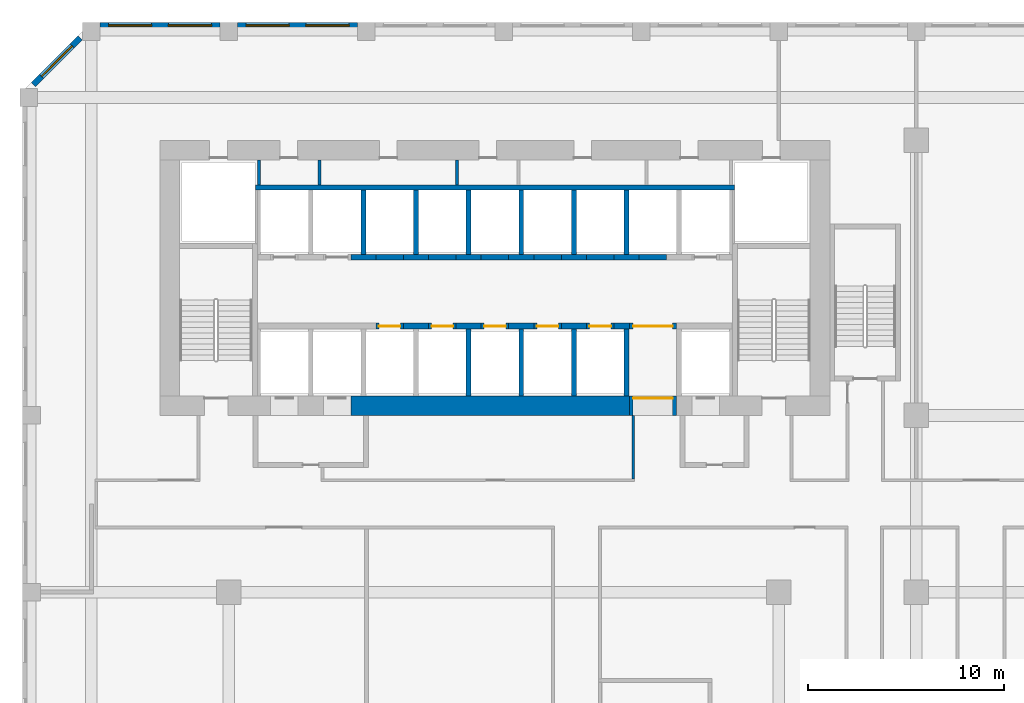
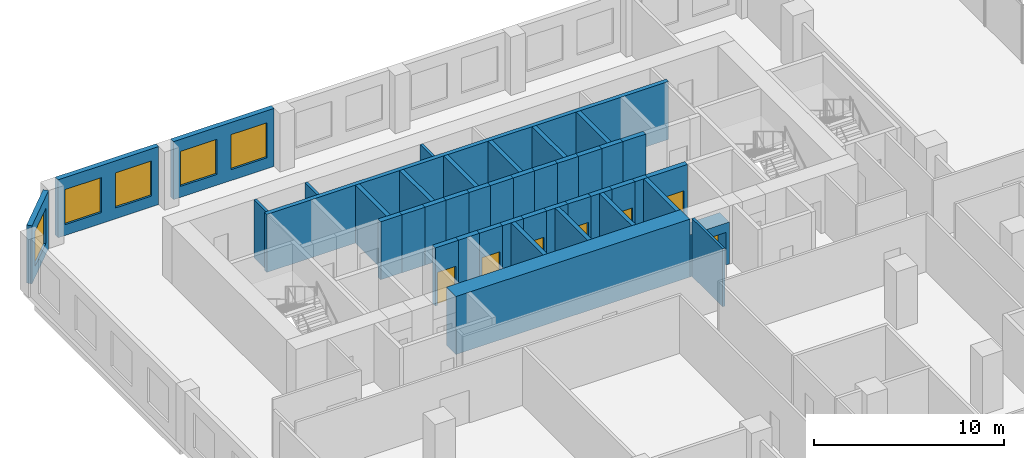
# One storey, part 16 of 28: 43 walls, 7 doors, 5 windows, 12 openings.
"""IFC4 building model written with IfcOpenShell, lengths in metres."""

from ifc_helpers import new_model, si_unit, direction, frame, frame_2d, origin, place, context, subcontext, project, spatial, rectangle, extrude, source, transform, mapped, material, layer, layer_set, type_object, element, fill, save


model = new_model("IFC4")

# Units and contexts
model_context = context("Model", 3, precision=1e-05, world=origin(), true_north=direction((0.0, 1.0)))
body_context = subcontext(model_context, "Body", "Model", "MODEL_VIEW")
ifc_project = project(units=[si_unit("LENGTHUNIT", "METRE"), si_unit("AREAUNIT", "SQUARE_METRE"), si_unit("VOLUMEUNIT", "CUBIC_METRE"), si_unit("PLANEANGLEUNIT", "RADIAN"), si_unit("MASSUNIT", "GRAM", prefix="KILO")], contexts=[model_context])

# Site, building, storey
site_placement = place(None, origin())
site = spatial("IfcSite", under=ifc_project, at=site_placement, CompositionType="ELEMENT")
building_placement = place(site_placement, origin())
building = spatial("IfcBuilding", under=site, at=building_placement, Name="Kilnfold Tower and Market Hall", CompositionType="ELEMENT")
storey_placement = place(building_placement, frame((0.0, 0.0, 75.199951171875)))
storey = spatial("IfcBuildingStorey", under=building, at=storey_placement, Name="L17", CompositionType="ELEMENT", Elevation=75.199951171875)

# Walls
ifc_material_1 = material(Name="Gypsum board on steel studs", Category="steel")
ifc_layer_1 = layer(ifc_material_1, 0.14990234375)
ifc_layer_set_1 = layer_set([ifc_layer_1], Name="Gypsum board on steel studs")
wall_type_1 = type_object("IfcWallType", Name="WALL CORRIDOR 150", PredefinedType="PARTITIONING", material=ifc_layer_set_1)
wall_1_placement = place(storey_placement, frame((8.090087890625, 8.0, 0.0), z_axis=(0.0, 0.0, 1.0), x_axis=(0.0, -1.0, 0.0)))
element("IfcWall", 1, at=wall_1_placement, inside=storey, type_object=wall_type_1, Name="Partition LY13.11", PredefinedType="PARTITIONING", context=body_context, shape_type="SweptSolid", body=[
    extrude(rectangle(XDim=3.22509765625, YDim=0.14990234375, at=frame_2d((1.612548828125, 0.0))), origin(), (0.0, 0.0, 1.0), 3.719970703125),
])
ifc_material_2 = material(Name="Concrete C80", Category="concrete")
ifc_layer_2 = layer(ifc_material_2, 1.0)
ifc_layer_set_2 = layer_set([ifc_layer_2], Name="Concrete C80")
wall_type_2 = type_object("IfcWallType", Name="CORE WALL 1000 C80", PredefinedType="SHEAR", material=ifc_layer_set_2)
shared_shape_1 = source(origin(), body_context, "Body", "SweptSolid", [
    extrude(rectangle(XDim=14.179931640625, YDim=1.0, at=frame_2d((7.08984375, 0.0))), origin(), (0.0, 0.0, 1.0), 3.719970703125),
])
wall_2_placement = place(storey_placement, frame((-6.2900390625, 8.5, 0.0), z_axis=(0.0, 0.0, 1.0), x_axis=(1.0, 0.0, 0.0)))
element("IfcWall", 2, at=wall_2_placement, inside=storey, type_object=wall_type_2, Name="Core outer wall south", PredefinedType="SHEAR", context=body_context, shape_type="MappedRepresentation", body=[
    mapped(shared_shape_1, transform((0.0, 0.0, 0.0))),
])
ifc_material_3 = material(Name="Concrete C80", Category="concrete")
ifc_layer_3 = layer(ifc_material_3, 0.300048828125)
ifc_layer_set_3 = layer_set([ifc_layer_3], Name="Concrete C80")
wall_type_3 = type_object("IfcWallType", Name="CORE WALL 300 C80", PredefinedType="SHEAR", material=ifc_layer_set_3)
shared_shape_2 = source(origin(), body_context, "Body", "SweptSolid", [
    extrude(rectangle(XDim=1.280029296875, YDim=0.300048828125, at=frame_2d((0.64013671875, 0.0))), origin(), (0.0, 0.0, 1.0), 3.719970703125),
])
for number, where, z_axis, x_axis, name in (
    (3, (-3.610107421875, 12.550048828125, 0.0), (0.0, 0.0, 1.0), (1.0, 0.0, 0.0), "Core spine wall"),
    (4, (-0.929931640625, 12.550048828125, 0.0), (0.0, 0.0, 1.0), (1.0, 0.0, 0.0), "Core spine wall"),
    (5, (1.75, 12.550048828125, 0.0), (0.0, 0.0, 1.0), (1.0, 0.0, 0.0), "Core spine wall"),
    (6, (4.429931640625, 12.550048828125, 0.0), (0.0, 0.0, 1.0), (1.0, 0.0, 0.0), "Core spine wall"),
    (7, (-6.2900390625, 16.050048828125, 0.0), (0.0, 0.0, 1.0), (1.0, 0.0, 0.0), "Core spine wall"),
    (8, (-3.610107421875, 16.050048828125, 0.0), (0.0, 0.0, 1.0), (1.0, 0.0, 0.0), "Core spine wall"),
    (9, (-0.929931640625, 16.050048828125, 0.0), (0.0, 0.0, 1.0), (1.0, 0.0, 0.0), "Core spine wall"),
    (10, (1.75, 16.050048828125, 0.0), (0.0, 0.0, 1.0), (1.0, 0.0, 0.0), "Core spine wall"),
    (11, (4.429931640625, 16.050048828125, 0.0), (0.0, 0.0, 1.0), (1.0, 0.0, 0.0), "Core spine wall"),
):
    element("IfcWall", number, at=place(storey_placement, frame(where, z_axis=z_axis, x_axis=x_axis)), inside=storey, type_object=wall_type_3, Name=name, PredefinedType="SHEAR", context=body_context, shape_type="MappedRepresentation", body=[
        mapped(shared_shape_2, transform((0.0, 0.0, 0.0))),
    ])
shared_shape_3 = source(origin(), body_context, "Body", "SweptSolid", [
    extrude(rectangle(XDim=0.77978515625, YDim=0.300048828125, at=frame_2d((0.389892578125, 0.0))), origin(), (0.0, 0.0, 1.0), 3.719970703125),
])
wall_3_placement = place(storey_placement, frame((7.110107421875, 12.550048828125, 0.0), z_axis=(0.0, 0.0, 1.0), x_axis=(1.0, 0.0, 0.0)))
element("IfcWall", 12, at=wall_3_placement, inside=storey, type_object=wall_type_3, Name="Core spine wall", PredefinedType="SHEAR", context=body_context, shape_type="MappedRepresentation", body=[
    mapped(shared_shape_3, transform((0.0, 0.0, 0.0))),
])
shared_shape_4 = source(origin(), body_context, "Body", "SweptSolid", [
    extrude(rectangle(XDim=1.27978515625, YDim=0.300048828125, at=frame_2d((0.639892578125, 0.0))), origin(), (0.0, 0.0, 1.0), 3.719970703125),
])
wall_4_placement = place(storey_placement, frame((7.110107421875, 16.050048828125, 0.0), z_axis=(0.0, 0.0, 1.0), x_axis=(1.0, 0.0, 0.0)))
element("IfcWall", 13, at=wall_4_placement, inside=storey, type_object=wall_type_3, Name="Core spine wall", PredefinedType="SHEAR", context=body_context, shape_type="MappedRepresentation", body=[
    mapped(shared_shape_4, transform((0.0, 0.0, 0.0))),
])

# Wall, opening, window
ifc_material_4 = material(Name="Precast concrete C50/60", Category="concrete")
ifc_layer_4 = layer(ifc_material_4, 0.300048828125)
ifc_layer_set_4 = layer_set([ifc_layer_4], Name="Precast concrete C50/60")
wall_type_4 = type_object("IfcWallType", Name="PRECAST WALL 300", PredefinedType="SOLIDWALL", material=ifc_layer_set_4)
shared_shape_5 = source(origin(), body_context, "Body", "SweptSolid", [
    extrude(rectangle(XDim=3.35888671875, YDim=0.300048828125, at=frame_2d((1.679443359375, 0.0))), origin(), (0.0, 0.0, 1.0), 3.719970703125),
])
wall_5_placement = place(storey_placement, frame((-20.06884765625, 27.218994140625, 0.0), z_axis=(0.0, 0.0, 1.0), x_axis=(-0.707143122278, -0.707070438228, 0.0)))
wall_5 = element("IfcWall", 14, at=wall_5_placement, inside=storey, type_object=wall_type_4, Name="External wall L17 NW", PredefinedType="SOLIDWALL", context=body_context, shape_type="MappedRepresentation", body=[
    mapped(shared_shape_5, transform((0.0, 0.0, 0.0))),
])
opening_1_placement = place(wall_5_placement, frame((0.579345703125, 0.0, 0.699951171875)))
opening_1 = element("IfcOpeningElement", 15, at=opening_1_placement, cuts=wall_5, Name="Opening W1", PredefinedType="OPENING", context=body_context, shape_type="SweptSolid", body=[
    extrude(rectangle(XDim=2.199951171875, YDim=2.25, at=frame_2d((1.10009765625, 1.125))), frame((0.0, 0.16015625, 0.0), z_axis=(0.0, -1.0, 0.0), x_axis=(1.0, 0.0, 0.0)), (0.0, 0.0, 1.0), 0.320068359375),
])
ifc_material_5 = material(Name="Aluminium frame and double glazing", Category="aluminium")
window_type = type_object("IfcWindowType", Name="WINDOW W1 2200X2250", PartitioningType="SINGLE_PANEL", PredefinedType="WINDOW", material=ifc_material_5)
window_1_placement = place(opening_1_placement, origin())
window_1 = element("IfcWindow", 16, at=window_1_placement, inside=storey, type_object=window_type, Name="Window W1 L17 NW-1", OverallHeight=2.25, OverallWidth=2.199951171875, PartitioningType="SINGLE_PANEL", PredefinedType="WINDOW", context=body_context, shape_type="SweptSolid", body=[
    extrude(rectangle(XDim=2.199951171875, YDim=2.25, at=frame_2d((1.10009765625, 1.125))), frame((0.0, 0.030029296875, 0.0), z_axis=(0.0, -1.0, 0.0), x_axis=(1.0, 0.0, 0.0)), (0.0, 0.0, 1.0), 0.06005859375),
])
fill(opening_1, window_1)

# Wall, openings, windows
shared_shape_6 = source(origin(), body_context, "Body", "SweptSolid", [
    extrude(rectangle(XDim=6.10009765625, YDim=0.300048828125, at=frame_2d((3.050048828125, 0.0))), origin(), (0.0, 0.0, 1.0), 3.719970703125),
])
wall_6_placement = place(storey_placement, frame((-5.949951171875, 27.85009765625, 0.0), z_axis=(0.0, 0.0, 1.0), x_axis=(-1.0, 0.0, 0.0)))
wall_6 = element("IfcWall", 17, at=wall_6_placement, inside=storey, type_object=wall_type_4, Name="External wall L17 N", PredefinedType="SOLIDWALL", context=body_context, shape_type="MappedRepresentation", body=[
    mapped(shared_shape_6, transform((0.0, 0.0, 0.0))),
])
opening_2_placement = place(wall_6_placement, frame((0.425048828125, 0.0, 0.699951171875)))
opening_2 = element("IfcOpeningElement", 18, at=opening_2_placement, cuts=wall_6, Name="Opening W1", PredefinedType="OPENING", context=body_context, shape_type="SweptSolid", body=[
    extrude(rectangle(XDim=2.199951171875, YDim=2.25, at=frame_2d((1.10009765625, 1.125))), frame((0.0, 0.16015625, 0.0), z_axis=(0.0, -1.0, 0.0), x_axis=(1.0, 0.0, 0.0)), (0.0, 0.0, 1.0), 0.320068359375),
])
opening_3_placement = place(wall_6_placement, frame((3.47509765625, 0.0, 0.699951171875)))
opening_3 = element("IfcOpeningElement", 19, at=opening_3_placement, cuts=wall_6, Name="Opening W1", PredefinedType="OPENING", context=body_context, shape_type="SweptSolid", body=[
    extrude(rectangle(XDim=2.199951171875, YDim=2.25, at=frame_2d((1.10009765625, 1.125))), frame((0.0, 0.16015625, 0.0), z_axis=(0.0, -1.0, 0.0), x_axis=(1.0, 0.0, 0.0)), (0.0, 0.0, 1.0), 0.320068359375),
])
window_2_placement = place(opening_2_placement, origin())
window_2 = element("IfcWindow", 20, at=window_2_placement, inside=storey, type_object=window_type, Name="Window W1 L17 N-1", OverallHeight=2.25, OverallWidth=2.199951171875, PartitioningType="SINGLE_PANEL", PredefinedType="WINDOW", context=body_context, shape_type="SweptSolid", body=[
    extrude(rectangle(XDim=2.199951171875, YDim=2.25, at=frame_2d((1.10009765625, 1.125))), frame((0.0, 0.030029296875, 0.0), z_axis=(0.0, -1.0, 0.0), x_axis=(1.0, 0.0, 0.0)), (0.0, 0.0, 1.0), 0.06005859375),
])
fill(opening_2, window_2)
window_3_placement = place(opening_3_placement, origin())
window_3 = element("IfcWindow", 21, at=window_3_placement, inside=storey, type_object=window_type, Name="Window W1 L17 N-2", OverallHeight=2.25, OverallWidth=2.199951171875, PartitioningType="SINGLE_PANEL", PredefinedType="WINDOW", context=body_context, shape_type="SweptSolid", body=[
    extrude(rectangle(XDim=2.199951171875, YDim=2.25, at=frame_2d((1.10009765625, 1.125))), frame((0.0, 0.030029296875, 0.0), z_axis=(0.0, -1.0, 0.0), x_axis=(1.0, 0.0, 0.0)), (0.0, 0.0, 1.0), 0.06005859375),
])
fill(opening_3, window_3)

wall_7_placement = place(storey_placement, frame((-12.949951171875, 27.85009765625, 0.0), z_axis=(0.0, 0.0, 1.0), x_axis=(-1.0, 0.0, 0.0)))
wall_7 = element("IfcWall", 22, at=wall_7_placement, inside=storey, type_object=wall_type_4, Name="External wall L17 N", PredefinedType="SOLIDWALL", context=body_context, shape_type="MappedRepresentation", body=[
    mapped(shared_shape_6, transform((0.0, 0.0, 0.0))),
])
opening_4_placement = place(wall_7_placement, frame((0.425048828125, 0.0, 0.699951171875)))
opening_4 = element("IfcOpeningElement", 23, at=opening_4_placement, cuts=wall_7, Name="Opening W1", PredefinedType="OPENING", context=body_context, shape_type="SweptSolid", body=[
    extrude(rectangle(XDim=2.199951171875, YDim=2.25, at=frame_2d((1.10009765625, 1.125))), frame((0.0, 0.16015625, 0.0), z_axis=(0.0, -1.0, 0.0), x_axis=(1.0, 0.0, 0.0)), (0.0, 0.0, 1.0), 0.320068359375),
])
opening_5_placement = place(wall_7_placement, frame((3.47509765625, 0.0, 0.699951171875)))
opening_5 = element("IfcOpeningElement", 24, at=opening_5_placement, cuts=wall_7, Name="Opening W1", PredefinedType="OPENING", context=body_context, shape_type="SweptSolid", body=[
    extrude(rectangle(XDim=2.199951171875, YDim=2.25, at=frame_2d((1.10009765625, 1.125))), frame((0.0, 0.16015625, 0.0), z_axis=(0.0, -1.0, 0.0), x_axis=(1.0, 0.0, 0.0)), (0.0, 0.0, 1.0), 0.320068359375),
])
window_4_placement = place(opening_4_placement, origin())
window_4 = element("IfcWindow", 25, at=window_4_placement, inside=storey, type_object=window_type, Name="Window W1 L17 N-1", OverallHeight=2.25, OverallWidth=2.199951171875, PartitioningType="SINGLE_PANEL", PredefinedType="WINDOW", context=body_context, shape_type="SweptSolid", body=[
    extrude(rectangle(XDim=2.199951171875, YDim=2.25, at=frame_2d((1.10009765625, 1.125))), frame((0.0, 0.030029296875, 0.0), z_axis=(0.0, -1.0, 0.0), x_axis=(1.0, 0.0, 0.0)), (0.0, 0.0, 1.0), 0.06005859375),
])
fill(opening_4, window_4)
window_5_placement = place(opening_5_placement, origin())
window_5 = element("IfcWindow", 26, at=window_5_placement, inside=storey, type_object=window_type, Name="Window W1 L17 N-2", OverallHeight=2.25, OverallWidth=2.199951171875, PartitioningType="SINGLE_PANEL", PredefinedType="WINDOW", context=body_context, shape_type="SweptSolid", body=[
    extrude(rectangle(XDim=2.199951171875, YDim=2.25, at=frame_2d((1.10009765625, 1.125))), frame((0.0, 0.030029296875, 0.0), z_axis=(0.0, -1.0, 0.0), x_axis=(1.0, 0.0, 0.0)), (0.0, 0.0, 1.0), 0.06005859375),
])
fill(opening_5, window_5)

# Wall, opening, door
ifc_material_6 = material(Name="Gypsum shaft wall system")
ifc_layer_5 = layer(ifc_material_6, 1.0)
ifc_layer_set_5 = layer_set([ifc_layer_5], Name="Gypsum shaft wall system")
wall_type_5 = type_object("IfcWallType", Name="LOBBY WALL 1000", PredefinedType="PARTITIONING", material=ifc_layer_set_5)
shared_shape_7 = source(origin(), body_context, "Body", "SweptSolid", [
    extrude(rectangle(XDim=2.400146484375, YDim=1.0, at=frame_2d((1.2001953125, 0.0))), origin(), (0.0, 0.0, 1.0), 2.699951171875),
])
wall_8_placement = place(storey_placement, frame((7.889892578125, 8.5, 0.0), z_axis=(0.0, 0.0, 1.0), x_axis=(1.0, 0.0, 0.0)))
wall_8 = element("IfcWall", 27, at=wall_8_placement, inside=storey, type_object=wall_type_5, Name="Core wall infill", PredefinedType="PARTITIONING", context=body_context, shape_type="MappedRepresentation", body=[
    mapped(shared_shape_7, transform((0.0, 0.0, 0.0))),
])
opening_6_placement = place(wall_8_placement, frame((0.199951171875, 0.0, 0.0)))
opening_6 = element("IfcOpeningElement", 28, at=opening_6_placement, cuts=wall_8, Name="Opening VD2", PredefinedType="OPENING", context=body_context, shape_type="SweptSolid", body=[
    extrude(rectangle(XDim=2.0, YDim=2.10009765625, at=frame_2d((1.0, 1.050048828125))), frame((0.0, 0.510009765625, 0.0), z_axis=(0.0, -1.0, 0.0), x_axis=(1.0, 0.0, 0.0)), (0.0, 0.0, 1.0), 1.02001953125),
])
ifc_material_7 = material(Name="Steel door set with fire-resisting leaf", Category="steel")
door_type_1 = type_object("IfcDoorType", Name="LIFT LOBBY ENTRANCE DOOR 2000X2100", OperationType="NOTDEFINED", PredefinedType="DOOR", material=ifc_material_7)
door_1_placement = place(opening_6_placement, origin())
door_1 = element("IfcDoor", 29, at=door_1_placement, inside=storey, type_object=door_type_1, Name="Lift lobby entrance door", OperationType="DOUBLE_DOOR_SINGLE_SWING", OverallHeight=2.10009765625, OverallWidth=2.0, PredefinedType="DOOR", context=body_context, shape_type="SweptSolid", body=[
    extrude(rectangle(XDim=2.0, YDim=2.10009765625, at=frame_2d((1.0, 1.050048828125))), frame((0.0, 0.40478515625, 0.0), z_axis=(0.0, -1.0, 0.0), x_axis=(1.0, 0.0, 0.0)), (0.0, 0.0, 1.0), 0.050048828125),
])
fill(opening_6, door_1)

ifc_material_8 = material(Name="Gypsum shaft wall system")
ifc_layer_6 = layer(ifc_material_8, 0.300048828125)
ifc_layer_set_6 = layer_set([ifc_layer_6], Name="Gypsum shaft wall system")
wall_type_6 = type_object("IfcWallType", Name="SHAFT WALL 300", PredefinedType="PARTITIONING", material=ifc_layer_set_6)
shared_shape_8 = source(origin(), body_context, "Body", "SweptSolid", [
    extrude(rectangle(XDim=1.39990234375, YDim=0.300048828125, at=frame_2d((0.699951171875, 0.0))), origin(), (0.0, 0.0, 1.0), 3.719970703125),
])
wall_9_placement = place(storey_placement, frame((-5.010009765625, 12.550048828125, 0.0), z_axis=(0.0, 0.0, 1.0), x_axis=(1.0, 0.0, 0.0)))
wall_9 = element("IfcWall", 30, at=wall_9_placement, inside=storey, type_object=wall_type_6, Name="Lift shaft front wall", PredefinedType="PARTITIONING", context=body_context, shape_type="MappedRepresentation", body=[
    mapped(shared_shape_8, transform((0.0, 0.0, 0.0))),
])
opening_7_placement = place(wall_9_placement, frame((0.14990234375, 0.0, 0.0)))
opening_7 = element("IfcOpeningElement", 31, at=opening_7_placement, cuts=wall_9, Name="Opening LD2", PredefinedType="OPENING", context=body_context, shape_type="SweptSolid", body=[
    extrude(rectangle(XDim=1.10009765625, YDim=2.10009765625, at=frame_2d((0.550048828125, 1.050048828125))), frame((0.0, 0.16015625, 0.0), z_axis=(0.0, -1.0, 0.0), x_axis=(1.0, 0.0, 0.0)), (0.0, 0.0, 1.0), 0.320068359375),
])
ifc_material_9 = material(Name="Steel door set with fire-resisting leaf", Category="steel")
door_type_2 = type_object("IfcDoorType", Name="LANDING DOOR 1100X2100", OperationType="NOTDEFINED", PredefinedType="DOOR", material=ifc_material_9)
door_2_placement = place(opening_7_placement, origin())
door_2 = element("IfcDoor", 32, at=door_2_placement, inside=storey, type_object=door_type_2, Name="Landing door LR1", OperationType="DOUBLE_DOOR_SLIDING", OverallHeight=2.10009765625, OverallWidth=1.10009765625, PredefinedType="DOOR", context=body_context, shape_type="SweptSolid", body=[
    extrude(rectangle(XDim=1.10009765625, YDim=2.10009765625, at=frame_2d((0.550048828125, 1.050048828125))), frame((0.0, 0.02490234375, 0.0), z_axis=(0.0, -1.0, 0.0), x_axis=(1.0, 0.0, 0.0)), (0.0, 0.0, 1.0), 0.050048828125),
])
fill(opening_7, door_2)

wall_10_placement = place(storey_placement, frame((0.35009765625, 12.550048828125, 0.0), z_axis=(0.0, 0.0, 1.0), x_axis=(1.0, 0.0, 0.0)))
wall_10 = element("IfcWall", 33, at=wall_10_placement, inside=storey, type_object=wall_type_6, Name="Lift shaft front wall", PredefinedType="PARTITIONING", context=body_context, shape_type="MappedRepresentation", body=[
    mapped(shared_shape_8, transform((0.0, 0.0, 0.0))),
])
opening_8_placement = place(wall_10_placement, frame((0.14990234375, 0.0, 0.0)))
opening_8 = element("IfcOpeningElement", 34, at=opening_8_placement, cuts=wall_10, Name="Opening LD2", PredefinedType="OPENING", context=body_context, shape_type="SweptSolid", body=[
    extrude(rectangle(XDim=1.10009765625, YDim=2.10009765625, at=frame_2d((0.550048828125, 1.050048828125))), frame((0.0, 0.16015625, 0.0), z_axis=(0.0, -1.0, 0.0), x_axis=(1.0, 0.0, 0.0)), (0.0, 0.0, 1.0), 0.320068359375),
])
door_3_placement = place(opening_8_placement, origin())
door_3 = element("IfcDoor", 35, at=door_3_placement, inside=storey, type_object=door_type_2, Name="Landing door LR3", OperationType="DOUBLE_DOOR_SLIDING", OverallHeight=2.10009765625, OverallWidth=1.10009765625, PredefinedType="DOOR", context=body_context, shape_type="SweptSolid", body=[
    extrude(rectangle(XDim=1.10009765625, YDim=2.10009765625, at=frame_2d((0.550048828125, 1.050048828125))), frame((0.0, 0.02490234375, 0.0), z_axis=(0.0, -1.0, 0.0), x_axis=(1.0, 0.0, 0.0)), (0.0, 0.0, 1.0), 0.050048828125),
])
fill(opening_8, door_3)

wall_11_placement = place(storey_placement, frame((3.030029296875, 12.550048828125, 0.0), z_axis=(0.0, 0.0, 1.0), x_axis=(1.0, 0.0, 0.0)))
wall_11 = element("IfcWall", 36, at=wall_11_placement, inside=storey, type_object=wall_type_6, Name="Lift shaft front wall", PredefinedType="PARTITIONING", context=body_context, shape_type="MappedRepresentation", body=[
    mapped(shared_shape_8, transform((0.0, 0.0, 0.0))),
])
opening_9_placement = place(wall_11_placement, frame((0.14990234375, 0.0, 0.0)))
opening_9 = element("IfcOpeningElement", 37, at=opening_9_placement, cuts=wall_11, Name="Opening LD2", PredefinedType="OPENING", context=body_context, shape_type="SweptSolid", body=[
    extrude(rectangle(XDim=1.10009765625, YDim=2.10009765625, at=frame_2d((0.550048828125, 1.050048828125))), frame((0.0, 0.16015625, 0.0), z_axis=(0.0, -1.0, 0.0), x_axis=(1.0, 0.0, 0.0)), (0.0, 0.0, 1.0), 0.320068359375),
])
door_4_placement = place(opening_9_placement, origin())
door_4 = element("IfcDoor", 38, at=door_4_placement, inside=storey, type_object=door_type_2, Name="Landing door LR4", OperationType="DOUBLE_DOOR_SLIDING", OverallHeight=2.10009765625, OverallWidth=1.10009765625, PredefinedType="DOOR", context=body_context, shape_type="SweptSolid", body=[
    extrude(rectangle(XDim=1.10009765625, YDim=2.10009765625, at=frame_2d((0.550048828125, 1.050048828125))), frame((0.0, 0.02490234375, 0.0), z_axis=(0.0, -1.0, 0.0), x_axis=(1.0, 0.0, 0.0)), (0.0, 0.0, 1.0), 0.050048828125),
])
fill(opening_9, door_4)

# Walls
for number, where, z_axis, x_axis, name in (
    (39, (-5.010009765625, 16.050048828125, 0.0), (0.0, 0.0, 1.0), (1.0, 0.0, 0.0), "Lift shaft front wall"),
    (40, (0.35009765625, 16.050048828125, 0.0), (0.0, 0.0, 1.0), (1.0, 0.0, 0.0), "Lift shaft front wall"),
    (41, (3.030029296875, 16.050048828125, 0.0), (0.0, 0.0, 1.0), (1.0, 0.0, 0.0), "Lift shaft front wall"),
):
    element("IfcWall", number, at=place(storey_placement, frame(where, z_axis=z_axis, x_axis=x_axis)), inside=storey, type_object=wall_type_6, Name=name, PredefinedType="PARTITIONING", context=body_context, shape_type="MappedRepresentation", body=[
        mapped(shared_shape_8, transform((0.0, 0.0, 0.0))),
    ])

# Wall, opening, door
shared_shape_9 = source(origin(), body_context, "Body", "SweptSolid", [
    extrude(rectangle(XDim=1.400146484375, YDim=0.300048828125, at=frame_2d((0.7001953125, 0.0))), origin(), (0.0, 0.0, 1.0), 3.719970703125),
])
wall_12_placement = place(storey_placement, frame((-2.330078125, 12.550048828125, 0.0), z_axis=(0.0, 0.0, 1.0), x_axis=(1.0, 0.0, 0.0)))
wall_12 = element("IfcWall", 42, at=wall_12_placement, inside=storey, type_object=wall_type_6, Name="Lift shaft front wall", PredefinedType="PARTITIONING", context=body_context, shape_type="MappedRepresentation", body=[
    mapped(shared_shape_9, transform((0.0, 0.0, 0.0))),
])
opening_10_placement = place(wall_12_placement, frame((0.14990234375, 0.0, 0.0)))
opening_10 = element("IfcOpeningElement", 43, at=opening_10_placement, cuts=wall_12, Name="Opening LD2", PredefinedType="OPENING", context=body_context, shape_type="SweptSolid", body=[
    extrude(rectangle(XDim=1.10009765625, YDim=2.10009765625, at=frame_2d((0.550048828125, 1.050048828125))), frame((0.0, 0.16015625, 0.0), z_axis=(0.0, -1.0, 0.0), x_axis=(1.0, 0.0, 0.0)), (0.0, 0.0, 1.0), 0.320068359375),
])
door_5_placement = place(opening_10_placement, origin())
door_5 = element("IfcDoor", 44, at=door_5_placement, inside=storey, type_object=door_type_2, Name="Landing door LR2", OperationType="DOUBLE_DOOR_SLIDING", OverallHeight=2.10009765625, OverallWidth=1.10009765625, PredefinedType="DOOR", context=body_context, shape_type="SweptSolid", body=[
    extrude(rectangle(XDim=1.10009765625, YDim=2.10009765625, at=frame_2d((0.550048828125, 1.050048828125))), frame((0.0, 0.02490234375, 0.0), z_axis=(0.0, -1.0, 0.0), x_axis=(1.0, 0.0, 0.0)), (0.0, 0.0, 1.0), 0.050048828125),
])
fill(opening_10, door_5)

wall_13_placement = place(storey_placement, frame((5.7099609375, 12.550048828125, 0.0), z_axis=(0.0, 0.0, 1.0), x_axis=(1.0, 0.0, 0.0)))
wall_13 = element("IfcWall", 45, at=wall_13_placement, inside=storey, type_object=wall_type_6, Name="Lift shaft front wall", PredefinedType="PARTITIONING", context=body_context, shape_type="MappedRepresentation", body=[
    mapped(shared_shape_9, transform((0.0, 0.0, 0.0))),
])
opening_11_placement = place(wall_13_placement, frame((0.14990234375, 0.0, 0.0)))
opening_11 = element("IfcOpeningElement", 46, at=opening_11_placement, cuts=wall_13, Name="Opening LD2", PredefinedType="OPENING", context=body_context, shape_type="SweptSolid", body=[
    extrude(rectangle(XDim=1.10009765625, YDim=2.10009765625, at=frame_2d((0.550048828125, 1.050048828125))), frame((0.0, 0.16015625, 0.0), z_axis=(0.0, -1.0, 0.0), x_axis=(1.0, 0.0, 0.0)), (0.0, 0.0, 1.0), 0.320068359375),
])
door_6_placement = place(opening_11_placement, origin())
door_6 = element("IfcDoor", 47, at=door_6_placement, inside=storey, type_object=door_type_2, Name="Landing door LR5", OperationType="DOUBLE_DOOR_SLIDING", OverallHeight=2.10009765625, OverallWidth=1.10009765625, PredefinedType="DOOR", context=body_context, shape_type="SweptSolid", body=[
    extrude(rectangle(XDim=1.10009765625, YDim=2.10009765625, at=frame_2d((0.550048828125, 1.050048828125))), frame((0.0, 0.02490234375, 0.0), z_axis=(0.0, -1.0, 0.0), x_axis=(1.0, 0.0, 0.0)), (0.0, 0.0, 1.0), 0.050048828125),
])
fill(opening_11, door_6)

# Walls
for number, where, z_axis, x_axis, name in (
    (48, (-2.330078125, 16.050048828125, 0.0), (0.0, 0.0, 1.0), (1.0, 0.0, 0.0), "Lift shaft front wall"),
    (49, (5.7099609375, 16.050048828125, 0.0), (0.0, 0.0, 1.0), (1.0, 0.0, 0.0), "Lift shaft front wall"),
    (50, (8.389892578125, 16.050048828125, 0.0), (0.0, 0.0, 1.0), (1.0, 0.0, 0.0), "Lift shaft front wall"),
):
    element("IfcWall", number, at=place(storey_placement, frame(where, z_axis=z_axis, x_axis=x_axis)), inside=storey, type_object=wall_type_6, Name=name, PredefinedType="PARTITIONING", context=body_context, shape_type="MappedRepresentation", body=[
        mapped(shared_shape_9, transform((0.0, 0.0, 0.0))),
    ])

# Wall, opening, door
shared_shape_10 = source(origin(), body_context, "Body", "SweptSolid", [
    extrude(rectangle(XDim=2.400146484375, YDim=0.300048828125, at=frame_2d((1.2001953125, 0.0))), origin(), (0.0, 0.0, 1.0), 3.719970703125),
])
wall_14_placement = place(storey_placement, frame((7.889892578125, 12.550048828125, 0.0), z_axis=(0.0, 0.0, 1.0), x_axis=(1.0, 0.0, 0.0)))
wall_14 = element("IfcWall", 51, at=wall_14_placement, inside=storey, type_object=wall_type_6, Name="Lift shaft front wall", PredefinedType="PARTITIONING", context=body_context, shape_type="MappedRepresentation", body=[
    mapped(shared_shape_10, transform((0.0, 0.0, 0.0))),
])
opening_12_placement = place(wall_14_placement, frame((0.199951171875, 0.0, 0.0)))
opening_12 = element("IfcOpeningElement", 52, at=opening_12_placement, cuts=wall_14, Name="Opening VD2", PredefinedType="OPENING", context=body_context, shape_type="SweptSolid", body=[
    extrude(rectangle(XDim=2.0, YDim=2.10009765625, at=frame_2d((1.0, 1.050048828125))), frame((0.0, 0.16015625, 0.0), z_axis=(0.0, -1.0, 0.0), x_axis=(1.0, 0.0, 0.0)), (0.0, 0.0, 1.0), 0.320068359375),
])
door_7_placement = place(opening_12_placement, origin())
door_7 = element("IfcDoor", 53, at=door_7_placement, inside=storey, type_object=door_type_1, Name="Lift lobby entrance door", OperationType="DOUBLE_DOOR_SINGLE_SWING", OverallHeight=2.10009765625, OverallWidth=2.0, PredefinedType="DOOR", context=body_context, shape_type="SweptSolid", body=[
    extrude(rectangle(XDim=2.0, YDim=2.10009765625, at=frame_2d((1.0, 1.050048828125))), frame((0.0, 0.02490234375, 0.0), z_axis=(0.0, -1.0, 0.0), x_axis=(1.0, 0.0, 0.0)), (0.0, 0.0, 1.0), 0.050048828125),
])
fill(opening_12, door_7)

# Walls
ifc_material_10 = material(Name="Gypsum shaft wall system")
ifc_layer_7 = layer(ifc_material_10, 0.25)
ifc_layer_set_7 = layer_set([ifc_layer_7], Name="Gypsum shaft wall system")
wall_type_7 = type_object("IfcWallType", Name="SHAFT WALL 250", PredefinedType="PARTITIONING", material=ifc_layer_set_7)
shared_shape_11 = source(origin(), body_context, "Body", "SweptSolid", [
    extrude(rectangle(XDim=24.3701171875, YDim=0.25, at=frame_2d((12.18505859375, 0.0))), origin(), (0.0, 0.0, 1.0), 3.719970703125),
])
wall_15_placement = place(storey_placement, frame((-11.135009765625, 19.60009765625, 0.0), z_axis=(0.0, 0.0, 1.0), x_axis=(1.0, 0.0, 0.0)))
element("IfcWall", 54, at=wall_15_placement, inside=storey, type_object=wall_type_7, Name="Lift shaft wall", PredefinedType="PARTITIONING", context=body_context, shape_type="MappedRepresentation", body=[
    mapped(shared_shape_11, transform((0.0, 0.0, 0.0))),
])
ifc_material_11 = material(Name="Gypsum shaft wall system")
ifc_layer_8 = layer(ifc_material_11, 0.1650390625)
ifc_layer_set_8 = layer_set([ifc_layer_8], Name="Gypsum shaft wall system")
wall_type_8 = type_object("IfcWallType", Name="SHAFT WALL 165", PredefinedType="PARTITIONING", material=ifc_layer_set_8)
shared_shape_12 = source(origin(), body_context, "Body", "SweptSolid", [
    extrude(rectangle(XDim=1.27490234375, YDim=0.1650390625, at=frame_2d((0.637451171875, 0.0))), origin(), (0.0, 0.0, 1.0), 3.719970703125),
])
wall_16_placement = place(storey_placement, frame((-10.967529296875, 19.72509765625, 0.0), z_axis=(0.0, 0.0, 1.0), x_axis=(0.0, 1.0, 0.0)))
element("IfcWall", 55, at=wall_16_placement, inside=storey, type_object=wall_type_8, Name="Lift shaft wall", PredefinedType="PARTITIONING", context=body_context, shape_type="MappedRepresentation", body=[
    mapped(shared_shape_12, transform((0.0, 0.0, 0.0))),
])
shared_shape_13 = source(origin(), body_context, "Body", "SweptSolid", [
    extrude(rectangle(XDim=3.275146484375, YDim=0.25, at=frame_2d((1.6376953125, 0.0))), origin(), (0.0, 0.0, 1.0), 3.719970703125),
])
for number, where, z_axis, x_axis, name in (
    (56, (2.389892578125, 16.199951171875, 0.0), (0.0, 0.0, 1.0), (0.0, 1.0, 0.0), "Lift shaft wall"),
    (57, (5.070068359375, 16.199951171875, 0.0), (0.0, 0.0, 1.0), (0.0, 1.0, 0.0), "Lift shaft wall"),
    (58, (7.75, 16.199951171875, 0.0), (0.0, 0.0, 1.0), (0.0, 1.0, 0.0), "Lift shaft wall"),
    (59, (-0.2900390625, 16.199951171875, 0.0), (0.0, 0.0, 1.0), (0.0, 1.0, 0.0), "Lift shaft wall"),
    (60, (-2.969970703125, 16.199951171875, 0.0), (0.0, 0.0, 1.0), (0.0, 1.0, 0.0), "Lift shaft wall"),
    (61, (-5.64990234375, 16.199951171875, 0.0), (0.0, 0.0, 1.0), (0.0, 1.0, 0.0), "Lift shaft wall"),
):
    element("IfcWall", number, at=place(storey_placement, frame(where, z_axis=z_axis, x_axis=x_axis)), inside=storey, type_object=wall_type_7, Name=name, PredefinedType="PARTITIONING", context=body_context, shape_type="MappedRepresentation", body=[
        mapped(shared_shape_13, transform((0.0, 0.0, 0.0))),
    ])
shared_shape_14 = source(origin(), body_context, "Body", "SweptSolid", [
    extrude(rectangle(XDim=3.39990234375, YDim=0.25, at=frame_2d((1.699951171875, 0.0))), origin(), (0.0, 0.0, 1.0), 3.719970703125),
])
for number, where, z_axis, x_axis, name in (
    (62, (2.389892578125, 9.0, 0.0), (0.0, 0.0, 1.0), (0.0, 1.0, 0.0), "Lift shaft wall"),
    (63, (5.070068359375, 9.0, 0.0), (0.0, 0.0, 1.0), (0.0, 1.0, 0.0), "Lift shaft wall"),
    (64, (7.75, 9.0, 0.0), (0.0, 0.0, 1.0), (0.0, 1.0, 0.0), "Lift shaft wall"),
    (65, (-0.2900390625, 9.0, 0.0), (0.0, 0.0, 1.0), (0.0, 1.0, 0.0), "Lift shaft wall"),
):
    element("IfcWall", number, at=place(storey_placement, frame(where, z_axis=z_axis, x_axis=x_axis)), inside=storey, type_object=wall_type_7, Name=name, PredefinedType="PARTITIONING", context=body_context, shape_type="MappedRepresentation", body=[
        mapped(shared_shape_14, transform((0.0, 0.0, 0.0))),
    ])
ifc_material_12 = material(Name="Gypsum shaft wall system")
ifc_layer_9 = layer(ifc_material_12, 0.14990234375)
ifc_layer_set_9 = layer_set([ifc_layer_9], Name="Gypsum shaft wall system")
wall_type_9 = type_object("IfcWallType", Name="ROOM WALL 150", PredefinedType="PARTITIONING", material=ifc_layer_set_9)
shared_shape_15 = source(origin(), body_context, "Body", "SweptSolid", [
    extrude(rectangle(XDim=1.27490234375, YDim=0.14990234375, at=frame_2d((0.637451171875, 0.0))), origin(), (0.0, 0.0, 1.0), 3.719970703125),
])
for number, where, z_axis, x_axis, name in (
    (66, (-7.87451171875, 19.72509765625, 0.0), (0.0, 0.0, 1.0), (0.0, 1.0, 0.0), "Core room wall"),
    (67, (-0.879638671875, 19.72509765625, 0.0), (0.0, 0.0, 1.0), (0.0, 1.0, 0.0), "Core room wall"),
):
    element("IfcWall", number, at=place(storey_placement, frame(where, z_axis=z_axis, x_axis=x_axis)), inside=storey, type_object=wall_type_9, Name=name, PredefinedType="PARTITIONING", context=body_context, shape_type="MappedRepresentation", body=[
        mapped(shared_shape_15, transform((0.0, 0.0, 0.0))),
    ])

save(model, "model.ifc")
